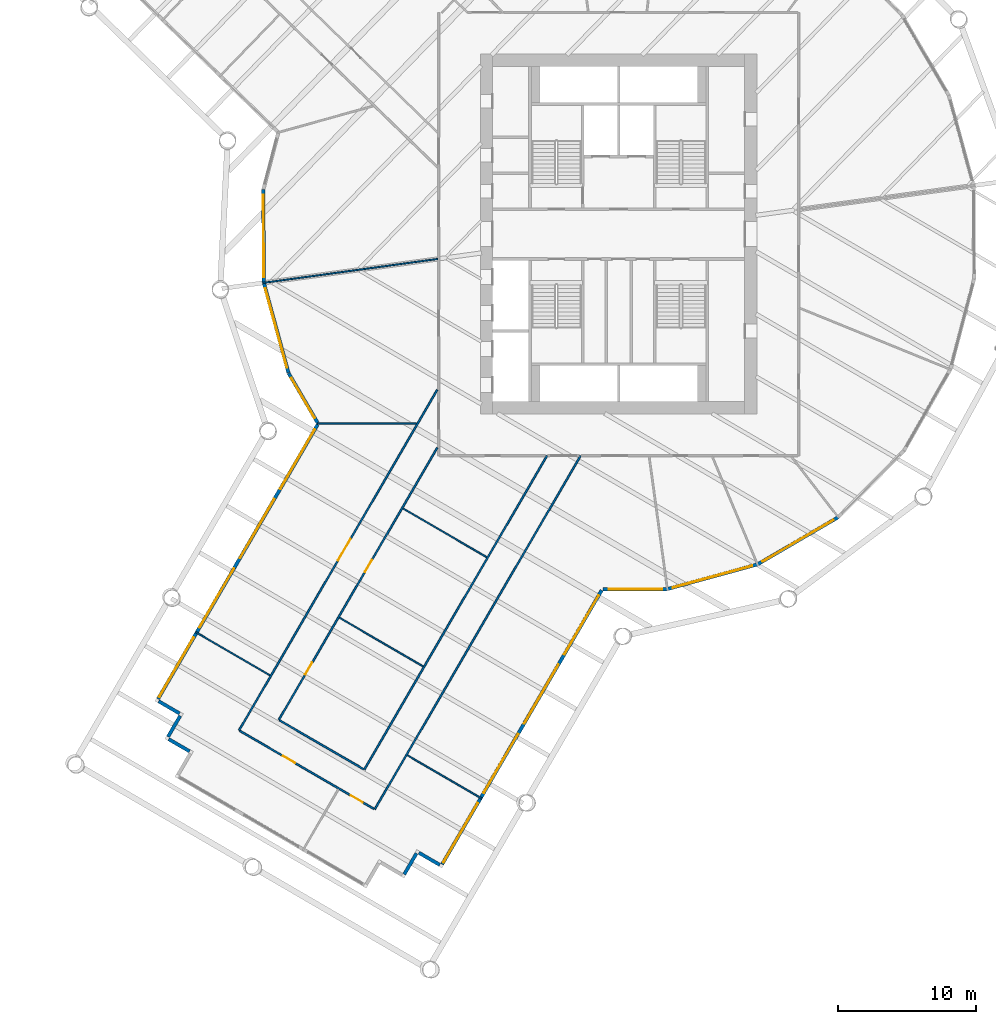
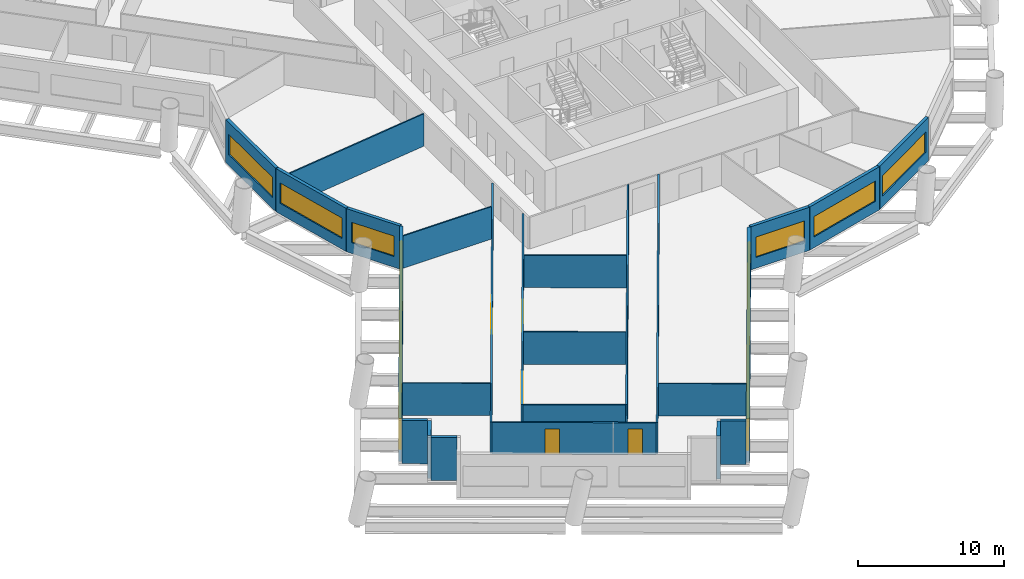
# One storey, part 3 of 12: 25 walls, 14 windows, 5 doors, 19 openings.
"""IFC4 building model written with IfcOpenShell, lengths in metres."""

import ifcopenshell
import ifcopenshell.guid

model = None  # the IFC model being written
_history = None  # IfcOwnerHistory: only IFC2X3 demands one
_inside = {}  # id of a spatial element -> (the spatial element, [elements in it])
_under = {}  # id of a project, library or spatial element -> (it, [spatial elements below it])
_declared = {}  # id of a project -> (the project, [libraries it declares])
_typed = {}  # id of a type object -> (the type object, [elements of that type])
_made_of = {}  # id of a material, layer set ... -> (it, [elements and type objects made of it])


def new_model(schema):
    """Start an empty IFC model of exactly this schema.

    Asked for "IFC4X3", IfcOpenShell would pick the latest addendum, in which some entities
    have other attributes; the version numbers below select the first issue.
    IFC2X3 requires an IfcOwnerHistory on every rooted entity: one is made here for all.
    """
    global model, _history
    if schema == "IFC4X3":
        model = ifcopenshell.file(schema_version=(4, 3, 0, 0))
    else:
        model = ifcopenshell.file(schema=schema)
    _inside.clear()
    _under.clear()
    _declared.clear()
    _typed.clear()
    _made_of.clear()
    _history = None
    if model.schema == "IFC2X3":
        org = make("IfcOrganization", Name="unknown")
        user = make(
            "IfcPersonAndOrganization",
            ThePerson=make("IfcPerson", FamilyName="unknown"),
            TheOrganization=org,
        )
        app = make(
            "IfcApplication",
            ApplicationDeveloper=org,
            Version="unknown",
            ApplicationFullName="unknown",
            ApplicationIdentifier="unknown",
        )
        _history = make(
            "IfcOwnerHistory",
            OwningUser=user,
            OwningApplication=app,
            ChangeAction="ADDED",
            CreationDate=0,
        )
    return model


def make(cls, **values):
    """One entity of the class cls with the attributes given. An attribute that is None is left unset."""
    return model.create_entity(
        cls, **{name: value for name, value in values.items() if value is not None}
    )


def rooted(cls, **values):
    """An entity with a GlobalId (a new one), such as an element, a storey or a relation."""
    return make(cls, GlobalId=ifcopenshell.guid.new(), OwnerHistory=_history, **values)


def si_unit(unit_type, name, prefix=None):
    """IfcSIUnit, for example si_unit("LENGTHUNIT", "METRE", prefix="MILLI")."""
    return make("IfcSIUnit", UnitType=unit_type, Prefix=prefix, Name=name)


def assignment(units):
    """IfcUnitAssignment: the units of a project."""
    return None if units is None else make("IfcUnitAssignment", Units=units)


def point(xyz):
    """IfcCartesianPoint."""
    return None if xyz is None else make("IfcCartesianPoint", Coordinates=xyz)


def direction(xyz):
    """IfcDirection."""
    return None if xyz is None else make("IfcDirection", DirectionRatios=xyz)


def frame(location, z_axis=None, x_axis=None):
    """IfcAxis2Placement3D, a coordinate frame: its origin and axes. An axis left out is left unset."""
    return make(
        "IfcAxis2Placement3D",
        Location=point(location),
        Axis=direction(z_axis),
        RefDirection=direction(x_axis),
    )


def frame_2d(location, x_axis=None):
    """IfcAxis2Placement2D, a coordinate frame in the plane: its origin and x axis."""
    return make(
        "IfcAxis2Placement2D", Location=point(location), RefDirection=direction(x_axis)
    )


def origin():
    """The frame at (0, 0, 0) with its axes left unset."""
    return frame((0.0, 0.0, 0.0))


def place(relative_to, where):
    """IfcLocalPlacement: puts the frame where relative to a parent placement (None: the world)."""
    return make(
        "IfcLocalPlacement", PlacementRelTo=relative_to, RelativePlacement=where
    )


def context(
    kind, dimensions, precision=None, world=None, true_north=None, identifier=None
):
    """IfcGeometricRepresentationContext, for example the 3D "Model" context."""
    return make(
        "IfcGeometricRepresentationContext",
        ContextIdentifier=identifier,
        ContextType=kind,
        CoordinateSpaceDimension=dimensions,
        Precision=precision,
        WorldCoordinateSystem=world,
        TrueNorth=true_north,
    )


def subcontext(parent, identifier, kind, view, scale=None):
    """IfcGeometricRepresentationSubContext, for example "Body" below "Model"."""
    return make(
        "IfcGeometricRepresentationSubContext",
        ContextIdentifier=identifier,
        ContextType=kind,
        ParentContext=parent,
        TargetScale=scale,
        TargetView=view,
    )


def project(units=None, contexts=None):
    """IfcProject with its units and contexts."""
    return rooted(
        "IfcProject",
        Name="project",
        RepresentationContexts=contexts,
        UnitsInContext=assignment(units),
    )


def spatial(cls, under=None, at=None, **own):
    """A site, building, storey or space (cls), placed at a placement, below another one or the project."""
    s = rooted(cls, ObjectPlacement=at, **own)
    if under is not None:
        _under.setdefault(under.id(), (under, []))[1].append(s)
    return s


def profile(cls, at=None, kind="AREA", **sizes):
    """A parametric profile (cls). Its sizes go by their IFC names, for example OverallWidth=200.0."""
    return make(cls, ProfileType=kind, Position=at, **sizes)


def rectangle(**sizes):
    """IfcRectangleProfileDef."""
    return profile("IfcRectangleProfileDef", **sizes)


def extrude(swept, where, along, depth):
    """IfcExtrudedAreaSolid: the profile swept, set in the frame where, extruded along a direction by depth."""
    return make(
        "IfcExtrudedAreaSolid",
        SweptArea=swept,
        Position=where,
        ExtrudedDirection=direction(along),
        Depth=depth,
    )


def shape(context_of_items, identifier, shape_type, items):
    """IfcShapeRepresentation: the items that make up one representation, for example the "Body"."""
    return make(
        "IfcShapeRepresentation",
        ContextOfItems=context_of_items,
        RepresentationIdentifier=identifier,
        RepresentationType=shape_type,
        Items=items,
    )


def material(Name=None, Category=None):
    """IfcMaterial."""
    return make("IfcMaterial", Name=Name, Category=Category)


def layer(
    of_material, thickness, ventilated=None, Name=None, Category=None, Priority=None
):
    """IfcMaterialLayer: one layer of a wall or slab, of a material (None: an air gap)."""
    return make(
        "IfcMaterialLayer",
        Material=of_material,
        LayerThickness=thickness,
        IsVentilated=ventilated,
        Name=Name,
        Category=Category,
        Priority=Priority,
    )


def layer_set(layers, Name=None):
    """IfcMaterialLayerSet."""
    return make("IfcMaterialLayerSet", MaterialLayers=layers, LayerSetName=Name)


def made_of(thing, what):
    """Note that an element or type object is made of a material, layer set ...; save() writes the relation."""
    if what is not None:
        _made_of.setdefault(what.id(), (what, []))[1].append(thing)
    return thing


def type_object(cls, material=None, **own):
    """A type object (cls), such as IfcWallType, which elements share."""
    return made_of(rooted(cls, **own), material)


def element(
    cls,
    number,
    at=None,
    inside=None,
    cuts=None,
    type_object=None,
    material=None,
    context=None,
    identifier="Body",
    shape_type=None,
    held_by="IfcProductDefinitionShape",
    body=None,
    shapes=None,
    **own,
):
    """One element of the class cls, such as IfcWall. Its Tag is "e" and its number.

    at: its placement. inside: the storey or other place that contains it. cuts: it is an
    opening in that element (IfcRelVoidsElement). A single representation is given by context,
    identifier, shape_type and body (its items); several are given by shapes. held_by: the class
    of the entity that holds the representations. save() writes the other relations.
    """
    e = rooted(cls, Tag="e%d" % number, ObjectPlacement=at, **own)
    if body is not None:
        shapes = [shape(context, identifier, shape_type, body)]
    if shapes is not None:
        e.Representation = make(held_by, Representations=shapes)
    if inside is not None:
        _inside.setdefault(inside.id(), (inside, []))[1].append(e)
    if cuts is not None:
        rooted(
            "IfcRelVoidsElement", RelatingBuildingElement=cuts, RelatedOpeningElement=e
        )
    if type_object is not None:
        _typed.setdefault(type_object.id(), (type_object, []))[1].append(e)
    return made_of(e, material)


def fill(opening, filler):
    """IfcRelFillsElement: the door or window that sits in an opening."""
    return rooted(
        "IfcRelFillsElement",
        RelatingOpeningElement=opening,
        RelatedBuildingElement=filler,
    )


def aggregate(whole, parts):
    """IfcRelAggregates: a whole, such as a stair, and the parts it consists of."""
    return rooted("IfcRelAggregates", RelatingObject=whole, RelatedObjects=parts)


def save(model, path):
    """Write the relations noted so far, then the file.

    IfcRelAggregates (storeys below a building ...), IfcRelContainedInSpatialStructure (elements
    in a storey), IfcRelDefinesByType, IfcRelAssociatesMaterial and IfcRelDeclares: one each for
    every whole, place, type object, material and project.
    """
    for whole, parts in _under.values():
        aggregate(whole, parts)
    for where, things in _inside.values():
        rooted(
            "IfcRelContainedInSpatialStructure",
            RelatedElements=things,
            RelatingStructure=where,
        )
    for kind, things in _typed.values():
        rooted("IfcRelDefinesByType", RelatedObjects=things, RelatingType=kind)
    for what, things in _made_of.values():
        rooted("IfcRelAssociatesMaterial", RelatedObjects=things, RelatingMaterial=what)
    for by, libraries in _declared.values():
        rooted("IfcRelDeclares", RelatingContext=by, RelatedDefinitions=libraries)
    model.write(path)


model = new_model("IFC4")

# Units and contexts
model_context = context("Model", 3, precision=1e-05, world=origin(), true_north=direction((0.0, 1.0)))
body_context = subcontext(model_context, "Body", "Model", "MODEL_VIEW")
ifc_project = project(units=[si_unit("LENGTHUNIT", "METRE"), si_unit("AREAUNIT", "SQUARE_METRE"), si_unit("VOLUMEUNIT", "CUBIC_METRE"), si_unit("PLANEANGLEUNIT", "RADIAN"), si_unit("MASSUNIT", "GRAM", prefix="KILO")], contexts=[model_context])

# Site, building, storey
site_placement = place(None, origin())
site = spatial("IfcSite", under=ifc_project, at=site_placement, CompositionType="ELEMENT")
building_placement = place(site_placement, origin())
building = spatial("IfcBuilding", under=site, at=building_placement, Name="Tarsis Ring Headquarters", CompositionType="ELEMENT")
storey_placement = place(building_placement, frame((0.0, 0.0, 82.89990234375)))
storey = spatial("IfcBuildingStorey", under=building, at=storey_placement, Name="L18", CompositionType="ELEMENT", Elevation=82.89990234375)

# Walls
ifc_material_1 = material(Name="Gypsum board on steel studs", Category="steel")
ifc_layer_1 = layer(ifc_material_1, 0.10009765625)
ifc_layer_set_1 = layer_set([ifc_layer_1], Name="FL partition 100 unrated")
wall_type_1 = type_object("IfcWallType", Name="FL partition 100 unrated", PredefinedType="PARTITIONING", material=ifc_layer_set_1)
wall_1_placement = place(storey_placement, frame((-25.707763671875, -3.521484375, 0.0), z_axis=(0.0, 0.0, 1.0), x_axis=(0.990748347222, 0.135711873011, 0.0)))
element("IfcWall", 1, at=wall_1_placement, inside=storey, type_object=wall_type_1, Name="Partition PW3", PredefinedType="PARTITIONING", context=body_context, shape_type="SweptSolid", body=[
    extrude(rectangle(XDim=12.75634765625, YDim=0.10009765625, at=frame_2d((6.378173828125, 0.0))), origin(), (0.0, 0.0, 1.0), 2.7001953125),
])
wall_2_placement = place(storey_placement, frame((-20.1728515625, -27.70263671875, 0.0), z_axis=(0.0, 0.0, 1.0), x_axis=(0.864279417559, -0.503012016143, 0.0)))
element("IfcWall", 2, at=wall_2_placement, inside=storey, type_object=wall_type_1, Name="Partition PW3", PredefinedType="PARTITIONING", context=body_context, shape_type="SweptSolid", body=[
    extrude(rectangle(XDim=6.999755859375, YDim=0.10009765625, at=frame_2d((3.5, 0.0))), origin(), (0.0, 0.0, 1.0), 2.7001953125),
])
wall_3_placement = place(storey_placement, frame((-15.580322265625, -19.811767578125, 0.0), z_axis=(0.0, 0.0, 1.0), x_axis=(0.864264254423, -0.503038068666, 0.0)))
element("IfcWall", 3, at=wall_3_placement, inside=storey, type_object=wall_type_1, Name="Partition PW3", PredefinedType="PARTITIONING", context=body_context, shape_type="SweptSolid", body=[
    extrude(rectangle(XDim=7.0, YDim=0.10009765625, at=frame_2d((3.5, 0.0))), origin(), (0.0, 0.0, 1.0), 2.7001953125),
])
wall_4_placement = place(storey_placement, frame((-21.764892578125, -13.68896484375, 0.0), z_axis=(0.0, 0.0, 1.0), x_axis=(0.999999635492, 0.000853824825, 0.0)))
element("IfcWall", 4, at=wall_4_placement, inside=storey, type_object=wall_type_1, Name="Partition PW3", PredefinedType="PARTITIONING", context=body_context, shape_type="SweptSolid", body=[
    extrude(rectangle(XDim=7.1484375, YDim=0.10009765625, at=frame_2d((3.57421875, 0.0))), origin(), (0.0, 0.0, 1.0), 2.7001953125),
])
wall_5_placement = place(storey_placement, frame((-30.554443359375, -28.741455078125, 0.0), z_axis=(0.0, 0.0, 1.0), x_axis=(0.864264743471, -0.503037228436, 0.0)))
element("IfcWall", 5, at=wall_5_placement, inside=storey, type_object=wall_type_1, Name="Partition PW3", PredefinedType="PARTITIONING", context=body_context, shape_type="SweptSolid", body=[
    extrude(rectangle(XDim=6.209716796875, YDim=0.10009765625, at=frame_2d((3.10498046875, 0.0))), origin(), (0.0, 0.0, 1.0), 2.7001953125),
])
wall_6_placement = place(storey_placement, frame((-15.265380859375, -37.639892578125, 0.0), z_axis=(0.0, 0.0, 1.0), x_axis=(0.864274691521, -0.503020136372, 0.0)))
element("IfcWall", 6, at=wall_6_placement, inside=storey, type_object=wall_type_1, Name="Partition PW3", PredefinedType="PARTITIONING", context=body_context, shape_type="SweptSolid", body=[
    extrude(rectangle(XDim=6.2099609375, YDim=0.10009765625, at=frame_2d((3.10498046875, 0.0))), origin(), (0.0, 0.0, 1.0), 2.7001953125),
])
ifc_layer_2 = layer(ifc_material_1, 0.125)
ifc_layer_set_2 = layer_set([ifc_layer_2], Name="FL partition 125 EI 60 H2630")
wall_type_2 = type_object("IfcWallType", Name="FL partition 125 EI 60 H2630", PredefinedType="PARTITIONING", material=ifc_layer_set_2)
wall_7_placement = place(storey_placement, frame((-17.619873046875, -41.545654296875, 0.0), z_axis=(0.0, 0.0, 1.0), x_axis=(0.503025966931, 0.864271298027, 0.0)))
element("IfcWall", 7, at=wall_7_placement, inside=storey, type_object=wall_type_2, Name="Partition PW1H263", PredefinedType="PARTITIONING", context=body_context, shape_type="SweptSolid", body=[
    extrude(rectangle(XDim=29.557373046875, YDim=0.125, at=frame_2d((14.77880859375, 0.0))), origin(), (0.0, 0.0, 1.0), 2.630126953125),
])

# Wall, opening, door
wall_8_placement = place(storey_placement, frame((-27.420654296875, -35.841552734375, 0.0), z_axis=(0.0, 0.0, 1.0), x_axis=(0.503017331027, 0.864276324266, 0.0)))
wall_8 = element("IfcWall", 8, at=wall_8_placement, inside=storey, type_object=wall_type_2, Name="Partition PW1H263", PredefinedType="PARTITIONING", context=body_context, shape_type="SweptSolid", body=[
    extrude(rectangle(XDim=28.458251953125, YDim=0.125, at=frame_2d((14.22900390625, 0.0))), origin(), (0.0, 0.0, 1.0), 2.630126953125),
])
opening_1_placement = place(wall_8_placement, frame((14.1982421875, 0.0, 0.0)))
opening_1 = element("IfcOpeningElement", 9, at=opening_1_placement, cuts=wall_8, Name="Opening D18.16", PredefinedType="OPENING", context=body_context, shape_type="SweptSolid", body=[
    extrude(rectangle(XDim=1.800048828125, YDim=2.10009765625, at=frame_2d((0.89990234375, 1.050048828125))), frame((0.0, 0.072509765625, 0.0), z_axis=(0.0, -1.0, 0.0), x_axis=(1.0, 0.0, 0.0)), (0.0, 0.0, 1.0), 0.14501953125),
])
ifc_material_2 = material(Name="Fire-rated timber door leaf in steel frame", Category="steel")
door_type_1 = type_object("IfcDoorType", Name="FL door FD60-1800", OperationType="DOUBLE_DOOR_SINGLE_SWING", PredefinedType="DOOR", material=ifc_material_2)
door_1_placement = place(opening_1_placement, origin())
door_1 = element("IfcDoor", 10, at=door_1_placement, inside=storey, type_object=door_type_1, Name="Door D18.16", OperationType="DOUBLE_DOOR_SINGLE_SWING", OverallHeight=2.10009765625, OverallWidth=1.800048828125, PredefinedType="DOOR", context=body_context, shape_type="SweptSolid", body=[
    extrude(rectangle(XDim=1.800048828125, YDim=2.10009765625, at=frame_2d((0.89990234375, 1.050048828125))), frame((0.0, 0.02490234375, 0.0), z_axis=(0.0, -1.0, 0.0), x_axis=(1.0, 0.0, 0.0)), (0.0, 0.0, 1.0), 0.050048828125),
])
fill(opening_1, door_1)

# Wall
wall_9_placement = place(storey_placement, frame((-18.37841796875, -38.67431640625, 0.0), z_axis=(0.0, 0.0, 1.0), x_axis=(0.503020233128, 0.864274635208, 0.0)))
element("IfcWall", 11, at=wall_9_placement, inside=storey, type_object=wall_type_2, Name="Partition PW1H263", PredefinedType="PARTITIONING", context=body_context, shape_type="SweptSolid", body=[
    extrude(rectangle(XDim=26.235107421875, YDim=0.125, at=frame_2d((13.11767578125, 0.0))), origin(), (0.0, 0.0, 1.0), 2.630126953125),
])

# Wall, openings, doors
wall_10_placement = place(storey_placement, frame((-24.54931640625, -35.082763671875, 0.0), z_axis=(0.0, 0.0, 1.0), x_axis=(0.503019375014, 0.864275134642, 0.0)))
wall_10 = element("IfcWall", 12, at=wall_10_placement, inside=storey, type_object=wall_type_2, Name="Partition PW1H263", PredefinedType="PARTITIONING", context=body_context, shape_type="SweptSolid", body=[
    extrude(rectangle(XDim=22.749755859375, YDim=0.125, at=frame_2d((11.375, 0.0))), origin(), (0.0, 0.0, 1.0), 2.630126953125),
])
opening_2_placement = place(wall_10_placement, frame((12.35986328125, 0.0, 0.0)))
opening_2 = element("IfcOpeningElement", 13, at=opening_2_placement, cuts=wall_10, Name="Opening D18.23", PredefinedType="OPENING", context=body_context, shape_type="SweptSolid", body=[
    extrude(rectangle(XDim=1.0, YDim=2.10009765625, at=frame_2d((0.5, 1.050048828125))), frame((0.0, 0.072509765625, 0.0), z_axis=(0.0, -1.0, 0.0), x_axis=(1.0, 0.0, 0.0)), (0.0, 0.0, 1.0), 0.14501953125),
])
opening_3_placement = place(wall_10_placement, frame((3.788818359375, 0.0, 0.0)))
opening_3 = element("IfcOpeningElement", 14, at=opening_3_placement, cuts=wall_10, Name="Opening D18.24", PredefinedType="OPENING", context=body_context, shape_type="SweptSolid", body=[
    extrude(rectangle(XDim=1.0, YDim=2.10009765625, at=frame_2d((0.5, 1.050048828125))), frame((0.0, 0.072509765625, 0.0), z_axis=(0.0, -1.0, 0.0), x_axis=(1.0, 0.0, 0.0)), (0.0, 0.0, 1.0), 0.14501953125),
])
door_type_2 = type_object("IfcDoorType", Name="FL door FD60-1000", OperationType="NOTDEFINED", PredefinedType="DOOR", material=ifc_material_2)
door_2_placement = place(opening_2_placement, origin())
door_2 = element("IfcDoor", 15, at=door_2_placement, inside=storey, type_object=door_type_2, Name="Door D18.23", OperationType="SINGLE_SWING_LEFT", OverallHeight=2.10009765625, OverallWidth=1.0, PredefinedType="DOOR", context=body_context, shape_type="SweptSolid", body=[
    extrude(rectangle(XDim=1.0, YDim=2.10009765625, at=frame_2d((0.5, 1.050048828125))), frame((0.0, 0.02490234375, 0.0), z_axis=(0.0, -1.0, 0.0), x_axis=(1.0, 0.0, 0.0)), (0.0, 0.0, 1.0), 0.050048828125),
])
fill(opening_2, door_2)
door_3_placement = place(opening_3_placement, origin())
door_3 = element("IfcDoor", 16, at=door_3_placement, inside=storey, type_object=door_type_2, Name="Door D18.24", OperationType="SINGLE_SWING_RIGHT", OverallHeight=2.10009765625, OverallWidth=1.0, PredefinedType="DOOR", context=body_context, shape_type="SweptSolid", body=[
    extrude(rectangle(XDim=1.0, YDim=2.10009765625, at=frame_2d((0.5, 1.050048828125))), frame((0.0, 0.02490234375, 0.0), z_axis=(0.0, -1.0, 0.0), x_axis=(1.0, 0.0, 0.0)), (0.0, 0.0, 1.0), 0.050048828125),
])
fill(opening_3, door_3)

wall_11_placement = place(storey_placement, frame((-27.368896484375, -35.87158203125, 0.0), z_axis=(0.0, 0.0, 1.0), x_axis=(0.864280402467, -0.503010323863, 0.0)))
wall_11 = element("IfcWall", 17, at=wall_11_placement, inside=storey, type_object=wall_type_2, Name="Partition PW1H263", PredefinedType="PARTITIONING", context=body_context, shape_type="SweptSolid", body=[
    extrude(rectangle(XDim=11.219970703125, YDim=0.125, at=frame_2d((5.60986328125, 0.0))), origin(), (0.0, 0.0, 1.0), 2.630126953125),
])
opening_4_placement = place(wall_11_placement, frame((9.2783203125, 0.0, 0.0)))
opening_4 = element("IfcOpeningElement", 18, at=opening_4_placement, cuts=wall_11, Name="Opening D18.14", PredefinedType="OPENING", context=body_context, shape_type="SweptSolid", body=[
    extrude(rectangle(XDim=1.0, YDim=2.10009765625, at=frame_2d((0.5, 1.050048828125))), frame((0.0, 0.072509765625, 0.0), z_axis=(0.0, -1.0, 0.0), x_axis=(1.0, 0.0, 0.0)), (0.0, 0.0, 1.0), 0.14501953125),
])
opening_5_placement = place(wall_11_placement, frame((3.6083984375, 0.0, 0.0)))
opening_5 = element("IfcOpeningElement", 19, at=opening_5_placement, cuts=wall_11, Name="Opening D18.15", PredefinedType="OPENING", context=body_context, shape_type="SweptSolid", body=[
    extrude(rectangle(XDim=1.0, YDim=2.10009765625, at=frame_2d((0.5, 1.050048828125))), frame((0.0, 0.072509765625, 0.0), z_axis=(0.0, -1.0, 0.0), x_axis=(1.0, 0.0, 0.0)), (0.0, 0.0, 1.0), 0.14501953125),
])
door_4_placement = place(opening_4_placement, origin())
door_4 = element("IfcDoor", 20, at=door_4_placement, inside=storey, type_object=door_type_2, Name="Door D18.14", OperationType="SINGLE_SWING_RIGHT", OverallHeight=2.10009765625, OverallWidth=1.0, PredefinedType="DOOR", context=body_context, shape_type="SweptSolid", body=[
    extrude(rectangle(XDim=1.0, YDim=2.10009765625, at=frame_2d((0.5, 1.050048828125))), frame((0.0, 0.02490234375, 0.0), z_axis=(0.0, -1.0, 0.0), x_axis=(1.0, 0.0, 0.0)), (0.0, 0.0, 1.0), 0.050048828125),
])
fill(opening_4, door_4)
door_5_placement = place(opening_5_placement, origin())
door_5 = element("IfcDoor", 21, at=door_5_placement, inside=storey, type_object=door_type_2, Name="Door D18.15", OperationType="SINGLE_SWING_LEFT", OverallHeight=2.10009765625, OverallWidth=1.0, PredefinedType="DOOR", context=body_context, shape_type="SweptSolid", body=[
    extrude(rectangle(XDim=1.0, YDim=2.10009765625, at=frame_2d((0.5, 1.050048828125))), frame((0.0, 0.02490234375, 0.0), z_axis=(0.0, -1.0, 0.0), x_axis=(1.0, 0.0, 0.0)), (0.0, 0.0, 1.0), 0.050048828125),
])
fill(opening_5, door_5)

# Wall
wall_12_placement = place(storey_placement, frame((-24.49755859375, -35.113037109375, 0.0), z_axis=(0.0, 0.0, 1.0), x_axis=(0.864269168085, -0.503029626461, 0.0)))
element("IfcWall", 22, at=wall_12_placement, inside=storey, type_object=wall_type_2, Name="Partition PW1H263", PredefinedType="PARTITIONING", context=body_context, shape_type="SweptSolid", body=[
    extrude(rectangle(XDim=7.02001953125, YDim=0.125, at=frame_2d((3.510009765625, 0.0))), origin(), (0.0, 0.0, 1.0), 2.630126953125),
])

# Wall, opening, window
ifc_material_3 = material(Name="Terracotta clad insulated panel wall", Category="masonry")
ifc_layer_3 = layer(ifc_material_3, 0.25)
ifc_layer_set_3 = layer_set([ifc_layer_3], Name="Facade wall terracotta panel 250")
wall_type_3 = type_object("IfcWallType", Name="Facade wall terracotta panel 250", PredefinedType="STANDARD", material=ifc_layer_set_3)
wall_13_placement = place(storey_placement, frame((-25.669921875, 3.226318359375, 0.0), z_axis=(0.0, 0.0, 1.0), x_axis=(0.005266717117, -0.999986130749, 0.0)))
wall_13 = element("IfcWall", 23, at=wall_13_placement, inside=storey, type_object=wall_type_3, Name="External wall L18-03", PredefinedType="STANDARD", context=body_context, shape_type="SweptSolid", body=[
    extrude(rectangle(XDim=6.721435546875, YDim=0.25, at=frame_2d((3.36083984375, 0.0))), origin(), (0.0, 0.0, 1.0), 3.60009765625),
])
opening_6_placement = place(wall_13_placement, frame((0.3857421875, 0.0, 0.89990234375)))
opening_6 = element("IfcOpeningElement", 24, at=opening_6_placement, cuts=wall_13, Name="Opening WN07", PredefinedType="OPENING", context=body_context, shape_type="SweptSolid", body=[
    extrude(rectangle(XDim=5.949951171875, YDim=1.699951171875, at=frame_2d((2.97509765625, 0.85009765625))), frame((0.0, 0.135009765625, 0.0), z_axis=(0.0, -1.0, 0.0), x_axis=(1.0, 0.0, 0.0)), (0.0, 0.0, 1.0), 0.27001953125),
])
ifc_material_4 = material(Name="Aluminium framed double glazing", Category="aluminium")
window_type_1 = type_object("IfcWindowType", Name="Facade window 5950 x 1700", PartitioningType="SINGLE_PANEL", PredefinedType="WINDOW", material=ifc_material_4)
window_1_placement = place(opening_6_placement, origin())
window_1 = element("IfcWindow", 25, at=window_1_placement, inside=storey, type_object=window_type_1, Name="Window L18-03.1", OverallHeight=1.699951171875, OverallWidth=5.949951171875, PartitioningType="SINGLE_PANEL", PredefinedType="WINDOW", context=body_context, shape_type="SweptSolid", body=[
    extrude(rectangle(XDim=5.949951171875, YDim=1.699951171875, at=frame_2d((2.97509765625, 0.85009765625))), frame((0.0, 0.030029296875, 0.0), z_axis=(0.0, -1.0, 0.0), x_axis=(1.0, 0.0, 0.0)), (0.0, 0.0, 1.0), 0.06005859375),
])
fill(opening_6, window_1)

wall_14_placement = place(storey_placement, frame((-25.630126953125, -3.52734375, 0.0), z_axis=(0.0, 0.0, 1.0), x_axis=(0.263876445843, -0.964556489444, 0.0)))
wall_14 = element("IfcWall", 26, at=wall_14_placement, inside=storey, type_object=wall_type_3, Name="External wall L18-04", PredefinedType="STANDARD", context=body_context, shape_type="SweptSolid", body=[
    extrude(rectangle(XDim=6.7216796875, YDim=0.25, at=frame_2d((3.36083984375, 0.0))), origin(), (0.0, 0.0, 1.0), 3.60009765625),
])
opening_7_placement = place(wall_14_placement, frame((0.3857421875, 0.0, 0.89990234375)))
opening_7 = element("IfcOpeningElement", 27, at=opening_7_placement, cuts=wall_14, Name="Opening WN07", PredefinedType="OPENING", context=body_context, shape_type="SweptSolid", body=[
    extrude(rectangle(XDim=5.949951171875, YDim=1.699951171875, at=frame_2d((2.97509765625, 0.85009765625))), frame((0.0, 0.135009765625, 0.0), z_axis=(0.0, -1.0, 0.0), x_axis=(1.0, 0.0, 0.0)), (0.0, 0.0, 1.0), 0.27001953125),
])
window_2_placement = place(opening_7_placement, origin())
window_2 = element("IfcWindow", 28, at=window_2_placement, inside=storey, type_object=window_type_1, Name="Window L18-04.1", OverallHeight=1.699951171875, OverallWidth=5.949951171875, PartitioningType="SINGLE_PANEL", PredefinedType="WINDOW", context=body_context, shape_type="SweptSolid", body=[
    extrude(rectangle(XDim=5.949951171875, YDim=1.699951171875, at=frame_2d((2.97509765625, 0.85009765625))), frame((0.0, 0.030029296875, 0.0), z_axis=(0.0, -1.0, 0.0), x_axis=(1.0, 0.0, 0.0)), (0.0, 0.0, 1.0), 0.06005859375),
])
fill(opening_7, window_2)

wall_15_placement = place(storey_placement, frame((-23.843994140625, -10.040771484375, 0.0), z_axis=(0.0, 0.0, 1.0), x_axis=(0.504539027168, -0.863388886924, 0.0)))
wall_15 = element("IfcWall", 29, at=wall_15_placement, inside=storey, type_object=wall_type_3, Name="External wall L18-05", PredefinedType="STANDARD", context=body_context, shape_type="SweptSolid", body=[
    extrude(rectangle(XDim=4.157470703125, YDim=0.25, at=frame_2d((2.07861328125, 0.0))), origin(), (0.0, 0.0, 1.0), 3.60009765625),
])
opening_8_placement = place(wall_15_placement, frame((0.38720703125, 0.0, 0.89990234375)))
opening_8 = element("IfcOpeningElement", 30, at=opening_8_placement, cuts=wall_15, Name="Opening WN01", PredefinedType="OPENING", context=body_context, shape_type="SweptSolid", body=[
    extrude(rectangle(XDim=3.35009765625, YDim=1.699951171875, at=frame_2d((1.675048828125, 0.85009765625))), frame((0.0, 0.135009765625, 0.0), z_axis=(0.0, -1.0, 0.0), x_axis=(1.0, 0.0, 0.0)), (0.0, 0.0, 1.0), 0.27001953125),
])
window_type_2 = type_object("IfcWindowType", Name="Facade window 3350 x 1700", PartitioningType="SINGLE_PANEL", PredefinedType="WINDOW", material=ifc_material_4)
window_3_placement = place(opening_8_placement, origin())
window_3 = element("IfcWindow", 31, at=window_3_placement, inside=storey, type_object=window_type_2, Name="Window L18-05.1", OverallHeight=1.699951171875, OverallWidth=3.35009765625, PartitioningType="SINGLE_PANEL", PredefinedType="WINDOW", context=body_context, shape_type="SweptSolid", body=[
    extrude(rectangle(XDim=3.35009765625, YDim=1.699951171875, at=frame_2d((1.675048828125, 0.85009765625))), frame((0.0, 0.030029296875, 0.0), z_axis=(0.0, -1.0, 0.0), x_axis=(1.0, 0.0, 0.0)), (0.0, 0.0, 1.0), 0.06005859375),
])
fill(opening_8, window_3)

# Wall, openings, windows
wall_16_placement = place(storey_placement, frame((-21.74609375, -13.75634765625, 0.0), z_axis=(0.0, 0.0, 1.0), x_axis=(-0.503023783211, -0.864272568999, 0.0)))
wall_16 = element("IfcWall", 32, at=wall_16_placement, inside=storey, type_object=wall_type_3, Name="External wall L18-06", PredefinedType="STANDARD", context=body_context, shape_type="SweptSolid", body=[
    extrude(rectangle(XDim=22.921875, YDim=0.25, at=frame_2d((11.4609375, 0.0))), origin(), (0.0, 0.0, 1.0), 3.60009765625),
])
opening_9_placement = place(wall_16_placement, frame((0.42138671875, 0.0, 0.89990234375)))
opening_9 = element("IfcOpeningElement", 33, at=opening_9_placement, cuts=wall_16, Name="Opening WN05", PredefinedType="OPENING", context=body_context, shape_type="SweptSolid", body=[
    extrude(rectangle(XDim=4.949951171875, YDim=1.699951171875, at=frame_2d((2.47509765625, 0.85009765625))), frame((0.0, 0.135009765625, 0.0), z_axis=(0.0, -1.0, 0.0), x_axis=(1.0, 0.0, 0.0)), (0.0, 0.0, 1.0), 0.27001953125),
])
opening_10_placement = place(wall_16_placement, frame((6.214599609375, 0.0, 0.89990234375)))
opening_10 = element("IfcOpeningElement", 34, at=opening_10_placement, cuts=wall_16, Name="Opening WN05", PredefinedType="OPENING", context=body_context, shape_type="SweptSolid", body=[
    extrude(rectangle(XDim=4.949951171875, YDim=1.699951171875, at=frame_2d((2.47509765625, 0.85009765625))), frame((0.0, 0.135009765625, 0.0), z_axis=(0.0, -1.0, 0.0), x_axis=(1.0, 0.0, 0.0)), (0.0, 0.0, 1.0), 0.27001953125),
])
opening_11_placement = place(wall_16_placement, frame((12.007568359375, 0.0, 0.89990234375)))
opening_11 = element("IfcOpeningElement", 35, at=opening_11_placement, cuts=wall_16, Name="Opening WN05", PredefinedType="OPENING", context=body_context, shape_type="SweptSolid", body=[
    extrude(rectangle(XDim=4.949951171875, YDim=1.699951171875, at=frame_2d((2.47509765625, 0.85009765625))), frame((0.0, 0.135009765625, 0.0), z_axis=(0.0, -1.0, 0.0), x_axis=(1.0, 0.0, 0.0)), (0.0, 0.0, 1.0), 0.27001953125),
])
opening_12_placement = place(wall_16_placement, frame((17.800537109375, 0.0, 0.89990234375)))
opening_12 = element("IfcOpeningElement", 36, at=opening_12_placement, cuts=wall_16, Name="Opening WN05", PredefinedType="OPENING", context=body_context, shape_type="SweptSolid", body=[
    extrude(rectangle(XDim=4.949951171875, YDim=1.699951171875, at=frame_2d((2.47509765625, 0.85009765625))), frame((0.0, 0.135009765625, 0.0), z_axis=(0.0, -1.0, 0.0), x_axis=(1.0, 0.0, 0.0)), (0.0, 0.0, 1.0), 0.27001953125),
])
window_type_3 = type_object("IfcWindowType", Name="Facade window 4950 x 1700", PartitioningType="SINGLE_PANEL", PredefinedType="WINDOW", material=ifc_material_4)
window_4_placement = place(opening_9_placement, origin())
window_4 = element("IfcWindow", 37, at=window_4_placement, inside=storey, type_object=window_type_3, Name="Window L18-06.1", OverallHeight=1.699951171875, OverallWidth=4.949951171875, PartitioningType="SINGLE_PANEL", PredefinedType="WINDOW", context=body_context, shape_type="SweptSolid", body=[
    extrude(rectangle(XDim=4.949951171875, YDim=1.699951171875, at=frame_2d((2.47509765625, 0.85009765625))), frame((0.0, 0.030029296875, 0.0), z_axis=(0.0, -1.0, 0.0), x_axis=(1.0, 0.0, 0.0)), (0.0, 0.0, 1.0), 0.06005859375),
])
fill(opening_9, window_4)
window_5_placement = place(opening_10_placement, origin())
window_5 = element("IfcWindow", 38, at=window_5_placement, inside=storey, type_object=window_type_3, Name="Window L18-06.2", OverallHeight=1.699951171875, OverallWidth=4.949951171875, PartitioningType="SINGLE_PANEL", PredefinedType="WINDOW", context=body_context, shape_type="SweptSolid", body=[
    extrude(rectangle(XDim=4.949951171875, YDim=1.699951171875, at=frame_2d((2.47509765625, 0.85009765625))), frame((0.0, 0.030029296875, 0.0), z_axis=(0.0, -1.0, 0.0), x_axis=(1.0, 0.0, 0.0)), (0.0, 0.0, 1.0), 0.06005859375),
])
fill(opening_10, window_5)
window_6_placement = place(opening_11_placement, origin())
window_6 = element("IfcWindow", 39, at=window_6_placement, inside=storey, type_object=window_type_3, Name="Window L18-06.3", OverallHeight=1.699951171875, OverallWidth=4.949951171875, PartitioningType="SINGLE_PANEL", PredefinedType="WINDOW", context=body_context, shape_type="SweptSolid", body=[
    extrude(rectangle(XDim=4.949951171875, YDim=1.699951171875, at=frame_2d((2.47509765625, 0.85009765625))), frame((0.0, 0.030029296875, 0.0), z_axis=(0.0, -1.0, 0.0), x_axis=(1.0, 0.0, 0.0)), (0.0, 0.0, 1.0), 0.06005859375),
])
fill(opening_11, window_6)
window_7_placement = place(opening_12_placement, origin())
window_7 = element("IfcWindow", 40, at=window_7_placement, inside=storey, type_object=window_type_3, Name="Window L18-06.4", OverallHeight=1.699951171875, OverallWidth=4.949951171875, PartitioningType="SINGLE_PANEL", PredefinedType="WINDOW", context=body_context, shape_type="SweptSolid", body=[
    extrude(rectangle(XDim=4.949951171875, YDim=1.699951171875, at=frame_2d((2.47509765625, 0.85009765625))), frame((0.0, 0.030029296875, 0.0), z_axis=(0.0, -1.0, 0.0), x_axis=(1.0, 0.0, 0.0)), (0.0, 0.0, 1.0), 0.06005859375),
])
fill(opening_12, window_7)

# Walls
for number, where, z_axis, x_axis, name in (
    (41, (-33.231201171875, -33.738037109375, 0.0), (0.0, 0.0, 1.0), (0.864249091034, -0.503064119817, 0.0), "External wall L18-07"),
    (42, (-31.673583984375, -34.789306640625, 0.0), (0.0, 0.0, 1.0), (-0.503064119817, -0.864249091034, 0.0), "External wall L18-08"),
    (43, (-32.5087890625, -36.47265625, 0.0), (0.0, 0.0, 1.0), (0.864249091034, -0.503064119817, 0.0), "External wall L18-09"),
    (44, (-15.484375, -46.236328125, 0.0), (0.0, 0.0, 1.0), (0.502959906984, 0.86430974307, 0.0), "External wall L18-14"),
    (45, (-14.433349609375, -44.6787109375, 0.0), (0.0, 0.0, 1.0), (0.864249091034, -0.503064119817, 0.0), "External wall L18-15"),
):
    element("IfcWall", number, at=place(storey_placement, frame(where, z_axis=z_axis, x_axis=x_axis)), inside=storey, type_object=wall_type_3, Name=name, PredefinedType="STANDARD", context=body_context, shape_type="SweptSolid", body=[
        extrude(rectangle(XDim=1.75, YDim=0.25, at=frame_2d((0.875, 0.0))), origin(), (0.0, 0.0, 1.0), 3.60009765625),
    ])

# Wall, openings, windows
wall_17_placement = place(storey_placement, frame((-12.75, -45.513916015625, 0.0), z_axis=(0.0, 0.0, 1.0), x_axis=(0.503027664789, 0.864270309832, 0.0)))
wall_17 = element("IfcWall", 46, at=wall_17_placement, inside=storey, type_object=wall_type_3, Name="External wall L18-16", PredefinedType="STANDARD", context=body_context, shape_type="SweptSolid", body=[
    extrude(rectangle(XDim=22.9013671875, YDim=0.25, at=frame_2d((11.45068359375, 0.0))), origin(), (0.0, 0.0, 1.0), 3.60009765625),
])
opening_13_placement = place(wall_17_placement, frame((0.1689453125, 0.0, 0.89990234375)))
opening_13 = element("IfcOpeningElement", 47, at=opening_13_placement, cuts=wall_17, Name="Opening WN05", PredefinedType="OPENING", context=body_context, shape_type="SweptSolid", body=[
    extrude(rectangle(XDim=4.949951171875, YDim=1.699951171875, at=frame_2d((2.47509765625, 0.85009765625))), frame((0.0, 0.135009765625, 0.0), z_axis=(0.0, -1.0, 0.0), x_axis=(1.0, 0.0, 0.0)), (0.0, 0.0, 1.0), 0.27001953125),
])
opening_14_placement = place(wall_17_placement, frame((5.956787109375, 0.0, 0.89990234375)))
opening_14 = element("IfcOpeningElement", 48, at=opening_14_placement, cuts=wall_17, Name="Opening WN05", PredefinedType="OPENING", context=body_context, shape_type="SweptSolid", body=[
    extrude(rectangle(XDim=4.949951171875, YDim=1.699951171875, at=frame_2d((2.47509765625, 0.85009765625))), frame((0.0, 0.135009765625, 0.0), z_axis=(0.0, -1.0, 0.0), x_axis=(1.0, 0.0, 0.0)), (0.0, 0.0, 1.0), 0.27001953125),
])
opening_15_placement = place(wall_17_placement, frame((11.74462890625, 0.0, 0.89990234375)))
opening_15 = element("IfcOpeningElement", 49, at=opening_15_placement, cuts=wall_17, Name="Opening WN05", PredefinedType="OPENING", context=body_context, shape_type="SweptSolid", body=[
    extrude(rectangle(XDim=4.949951171875, YDim=1.699951171875, at=frame_2d((2.47509765625, 0.85009765625))), frame((0.0, 0.135009765625, 0.0), z_axis=(0.0, -1.0, 0.0), x_axis=(1.0, 0.0, 0.0)), (0.0, 0.0, 1.0), 0.27001953125),
])
opening_16_placement = place(wall_17_placement, frame((17.532470703125, 0.0, 0.89990234375)))
opening_16 = element("IfcOpeningElement", 50, at=opening_16_placement, cuts=wall_17, Name="Opening WN05", PredefinedType="OPENING", context=body_context, shape_type="SweptSolid", body=[
    extrude(rectangle(XDim=4.949951171875, YDim=1.699951171875, at=frame_2d((2.47509765625, 0.85009765625))), frame((0.0, 0.135009765625, 0.0), z_axis=(0.0, -1.0, 0.0), x_axis=(1.0, 0.0, 0.0)), (0.0, 0.0, 1.0), 0.27001953125),
])
window_8_placement = place(opening_13_placement, origin())
window_8 = element("IfcWindow", 51, at=window_8_placement, inside=storey, type_object=window_type_3, Name="Window L18-16.1", OverallHeight=1.699951171875, OverallWidth=4.949951171875, PartitioningType="SINGLE_PANEL", PredefinedType="WINDOW", context=body_context, shape_type="SweptSolid", body=[
    extrude(rectangle(XDim=4.949951171875, YDim=1.699951171875, at=frame_2d((2.47509765625, 0.85009765625))), frame((0.0, 0.030029296875, 0.0), z_axis=(0.0, -1.0, 0.0), x_axis=(1.0, 0.0, 0.0)), (0.0, 0.0, 1.0), 0.06005859375),
])
fill(opening_13, window_8)
window_9_placement = place(opening_14_placement, origin())
window_9 = element("IfcWindow", 52, at=window_9_placement, inside=storey, type_object=window_type_3, Name="Window L18-16.2", OverallHeight=1.699951171875, OverallWidth=4.949951171875, PartitioningType="SINGLE_PANEL", PredefinedType="WINDOW", context=body_context, shape_type="SweptSolid", body=[
    extrude(rectangle(XDim=4.949951171875, YDim=1.699951171875, at=frame_2d((2.47509765625, 0.85009765625))), frame((0.0, 0.030029296875, 0.0), z_axis=(0.0, -1.0, 0.0), x_axis=(1.0, 0.0, 0.0)), (0.0, 0.0, 1.0), 0.06005859375),
])
fill(opening_14, window_9)
window_10_placement = place(opening_15_placement, origin())
window_10 = element("IfcWindow", 53, at=window_10_placement, inside=storey, type_object=window_type_3, Name="Window L18-16.3", OverallHeight=1.699951171875, OverallWidth=4.949951171875, PartitioningType="SINGLE_PANEL", PredefinedType="WINDOW", context=body_context, shape_type="SweptSolid", body=[
    extrude(rectangle(XDim=4.949951171875, YDim=1.699951171875, at=frame_2d((2.47509765625, 0.85009765625))), frame((0.0, 0.030029296875, 0.0), z_axis=(0.0, -1.0, 0.0), x_axis=(1.0, 0.0, 0.0)), (0.0, 0.0, 1.0), 0.06005859375),
])
fill(opening_15, window_10)
window_11_placement = place(opening_16_placement, origin())
window_11 = element("IfcWindow", 54, at=window_11_placement, inside=storey, type_object=window_type_3, Name="Window L18-16.4", OverallHeight=1.699951171875, OverallWidth=4.949951171875, PartitioningType="SINGLE_PANEL", PredefinedType="WINDOW", context=body_context, shape_type="SweptSolid", body=[
    extrude(rectangle(XDim=4.949951171875, YDim=1.699951171875, at=frame_2d((2.47509765625, 0.85009765625))), frame((0.0, 0.030029296875, 0.0), z_axis=(0.0, -1.0, 0.0), x_axis=(1.0, 0.0, 0.0)), (0.0, 0.0, 1.0), 0.06005859375),
])
fill(opening_16, window_11)

# Wall, opening, window
wall_18_placement = place(storey_placement, frame((-1.122802734375, -25.65869140625, 0.0), z_axis=(0.0, 0.0, 1.0), x_axis=(0.999986303211, 0.005233869628, 0.0)))
wall_18 = element("IfcWall", 55, at=wall_18_placement, inside=storey, type_object=wall_type_3, Name="External wall L18-17", PredefinedType="STANDARD", context=body_context, shape_type="SweptSolid", body=[
    extrude(rectangle(XDim=4.617919921875, YDim=0.25, at=frame_2d((2.30908203125, 0.0))), origin(), (0.0, 0.0, 1.0), 3.60009765625),
])
opening_17_placement = place(wall_18_placement, frame((0.400390625, 0.0, 0.89990234375)))
opening_17 = element("IfcOpeningElement", 56, at=opening_17_placement, cuts=wall_18, Name="Opening WN02", PredefinedType="OPENING", context=body_context, shape_type="SweptSolid", body=[
    extrude(rectangle(XDim=3.85009765625, YDim=1.699951171875, at=frame_2d((1.925048828125, 0.85009765625))), frame((0.0, 0.135009765625, 0.0), z_axis=(0.0, -1.0, 0.0), x_axis=(1.0, 0.0, 0.0)), (0.0, 0.0, 1.0), 0.27001953125),
])
window_type_4 = type_object("IfcWindowType", Name="Facade window 3850 x 1700", PartitioningType="SINGLE_PANEL", PredefinedType="WINDOW", material=ifc_material_4)
window_12_placement = place(opening_17_placement, origin())
window_12 = element("IfcWindow", 57, at=window_12_placement, inside=storey, type_object=window_type_4, Name="Window L18-17.1", OverallHeight=1.699951171875, OverallWidth=3.85009765625, PartitioningType="SINGLE_PANEL", PredefinedType="WINDOW", context=body_context, shape_type="SweptSolid", body=[
    extrude(rectangle(XDim=3.85009765625, YDim=1.699951171875, at=frame_2d((1.925048828125, 0.85009765625))), frame((0.0, 0.030029296875, 0.0), z_axis=(0.0, -1.0, 0.0), x_axis=(1.0, 0.0, 0.0)), (0.0, 0.0, 1.0), 0.06005859375),
])
fill(opening_17, window_12)

wall_19_placement = place(storey_placement, frame((3.52734375, -25.630126953125, 0.0), z_axis=(0.0, 0.0, 1.0), x_axis=(0.964556489444, 0.263876445843, 0.0)))
wall_19 = element("IfcWall", 58, at=wall_19_placement, inside=storey, type_object=wall_type_3, Name="External wall L18-18", PredefinedType="STANDARD", context=body_context, shape_type="SweptSolid", body=[
    extrude(rectangle(XDim=6.7216796875, YDim=0.25, at=frame_2d((3.36083984375, 0.0))), origin(), (0.0, 0.0, 1.0), 3.60009765625),
])
opening_18_placement = place(wall_19_placement, frame((0.3857421875, 0.0, 0.89990234375)))
opening_18 = element("IfcOpeningElement", 59, at=opening_18_placement, cuts=wall_19, Name="Opening WN07", PredefinedType="OPENING", context=body_context, shape_type="SweptSolid", body=[
    extrude(rectangle(XDim=5.949951171875, YDim=1.699951171875, at=frame_2d((2.97509765625, 0.85009765625))), frame((0.0, 0.135009765625, 0.0), z_axis=(0.0, -1.0, 0.0), x_axis=(1.0, 0.0, 0.0)), (0.0, 0.0, 1.0), 0.27001953125),
])
window_13_placement = place(opening_18_placement, origin())
window_13 = element("IfcWindow", 60, at=window_13_placement, inside=storey, type_object=window_type_1, Name="Window L18-18.1", OverallHeight=1.699951171875, OverallWidth=5.949951171875, PartitioningType="SINGLE_PANEL", PredefinedType="WINDOW", context=body_context, shape_type="SweptSolid", body=[
    extrude(rectangle(XDim=5.949951171875, YDim=1.699951171875, at=frame_2d((2.97509765625, 0.85009765625))), frame((0.0, 0.030029296875, 0.0), z_axis=(0.0, -1.0, 0.0), x_axis=(1.0, 0.0, 0.0)), (0.0, 0.0, 1.0), 0.06005859375),
])
fill(opening_18, window_13)

wall_20_placement = place(storey_placement, frame((10.040771484375, -23.843994140625, 0.0), z_axis=(0.0, 0.0, 1.0), x_axis=(0.863380780256, 0.504552899392, 0.0)))
wall_20 = element("IfcWall", 61, at=wall_20_placement, inside=storey, type_object=wall_type_3, Name="External wall L18-19", PredefinedType="STANDARD", context=body_context, shape_type="SweptSolid", body=[
    extrude(rectangle(XDim=6.721435546875, YDim=0.25, at=frame_2d((3.36083984375, 0.0))), origin(), (0.0, 0.0, 1.0), 3.60009765625),
])
opening_19_placement = place(wall_20_placement, frame((0.3857421875, 0.0, 0.89990234375)))
opening_19 = element("IfcOpeningElement", 62, at=opening_19_placement, cuts=wall_20, Name="Opening WN07", PredefinedType="OPENING", context=body_context, shape_type="SweptSolid", body=[
    extrude(rectangle(XDim=5.949951171875, YDim=1.699951171875, at=frame_2d((2.97509765625, 0.85009765625))), frame((0.0, 0.135009765625, 0.0), z_axis=(0.0, -1.0, 0.0), x_axis=(1.0, 0.0, 0.0)), (0.0, 0.0, 1.0), 0.27001953125),
])
window_14_placement = place(opening_19_placement, origin())
window_14 = element("IfcWindow", 63, at=window_14_placement, inside=storey, type_object=window_type_1, Name="Window L18-19.1", OverallHeight=1.699951171875, OverallWidth=5.949951171875, PartitioningType="SINGLE_PANEL", PredefinedType="WINDOW", context=body_context, shape_type="SweptSolid", body=[
    extrude(rectangle(XDim=5.949951171875, YDim=1.699951171875, at=frame_2d((2.97509765625, 0.85009765625))), frame((0.0, 0.030029296875, 0.0), z_axis=(0.0, -1.0, 0.0), x_axis=(1.0, 0.0, 0.0)), (0.0, 0.0, 1.0), 0.06005859375),
])
fill(opening_19, window_14)

save(model, "model.ifc")
